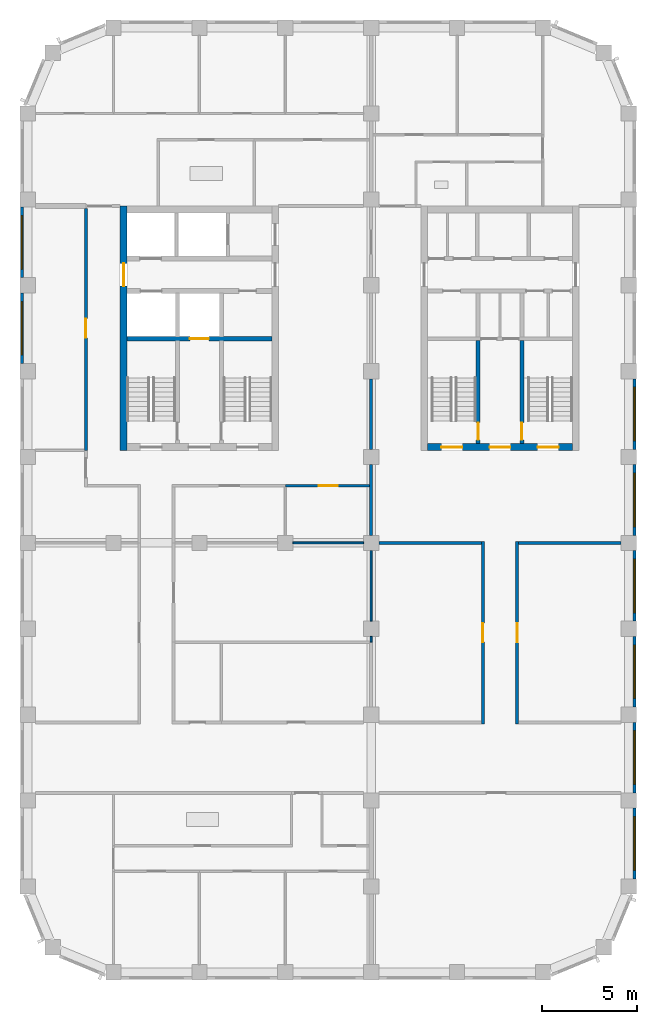
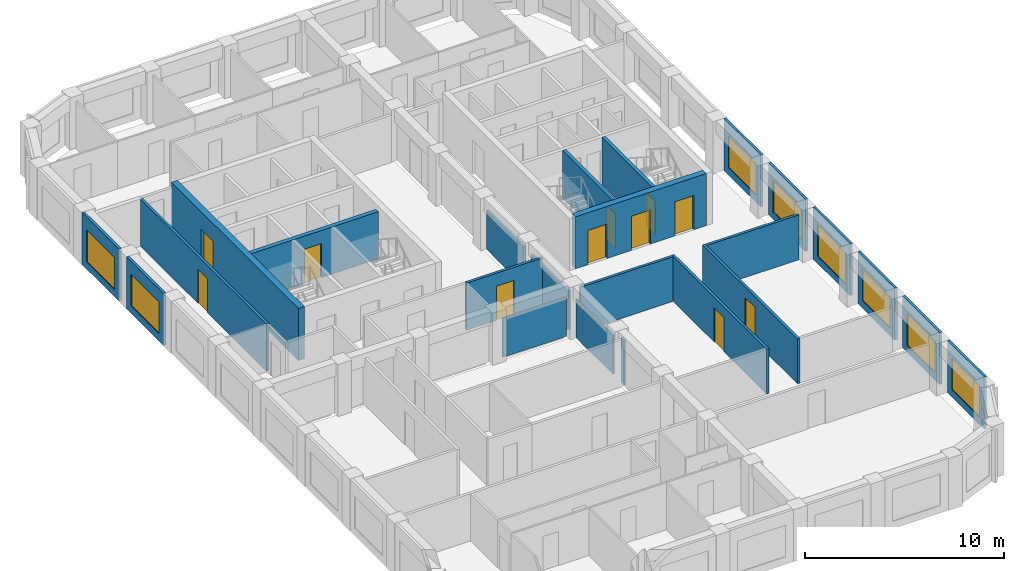
# One storey, part 4 of 9: 24 walls, 11 doors, 8 windows, 19 openings.
"""IFC4 building model written with IfcOpenShell, lengths in metres."""

from ifc_helpers import new_model, si_unit, direction, frame, frame_2d, origin, place, context, subcontext, project, spatial, rectangle, extrude, material, layer, layer_set, type_object, element, fill, save


model = new_model("IFC4")

# Units and contexts
model_context = context("Model", 3, precision=1e-05, world=origin(), true_north=direction((0.0, 1.0)))
body_context = subcontext(model_context, "Body", "Model", "MODEL_VIEW")
ifc_project = project(units=[si_unit("LENGTHUNIT", "METRE"), si_unit("AREAUNIT", "SQUARE_METRE"), si_unit("VOLUMEUNIT", "CUBIC_METRE"), si_unit("PLANEANGLEUNIT", "RADIAN"), si_unit("MASSUNIT", "GRAM", prefix="KILO")], contexts=[model_context])

# Site, building, storey
site_placement = place(None, origin())
site = spatial("IfcSite", under=ifc_project, at=site_placement, CompositionType="ELEMENT")
building_placement = place(site_placement, origin())
building = spatial("IfcBuilding", under=site, at=building_placement, Name="Girih Gate Residences", CompositionType="ELEMENT")
storey_placement = place(building_placement, frame((0.0, 0.0, 182.699951171875)))
storey = spatial("IfcBuildingStorey", under=building, at=storey_placement, Name="L50", CompositionType="ELEMENT", Elevation=182.699951171875)

# Walls
ifc_material_1 = material(Name="Gypsum board on steel studs", Category="steel")
ifc_layer_1 = layer(ifc_material_1, 0.14990234375)
ifc_layer_set_1 = layer_set([ifc_layer_1], Name="Compartment wall 150 mm")
wall_type_1 = type_object("IfcWallType", Name="Compartment wall 150 mm", PredefinedType="PARTITIONING", material=ifc_layer_set_1)
for number, where, z_axis, x_axis, name in (
    (1, (18.39990234375, 22.5, 0.0), (0.0, 0.0, 1.0), (1.0, 0.0, 0.0), "L50 partition"),
    (2, (25.72509765625, 22.5, 0.0), (0.0, 0.0, 1.0), (1.0, 0.0, 0.0), "L50 partition"),
):
    element("IfcWall", number, at=place(storey_placement, frame(where, z_axis=z_axis, x_axis=x_axis)), inside=storey, type_object=wall_type_1, Name=name, PredefinedType="PARTITIONING", context=body_context, shape_type="SweptSolid", body=[
        extrude(rectangle(XDim=5.375, YDim=0.14990234375, at=frame_2d((2.6875, 0.0))), origin(), (0.0, 0.0, 1.0), 2.75),
    ])
for number, where, z_axis, x_axis, name in (
    (3, (18.0, 27.39990234375, 0.0), (0.0, 0.0, 1.0), (0.0, 1.0, 0.0), "L50 partition"),
    (4, (18.0, 22.89990234375, 0.0), (0.0, 0.0, 1.0), (0.0, 1.0, 0.0), "L50 partition"),
):
    element("IfcWall", number, at=place(storey_placement, frame(where, z_axis=z_axis, x_axis=x_axis)), inside=storey, type_object=wall_type_1, Name=name, PredefinedType="PARTITIONING", context=body_context, shape_type="SweptSolid", body=[
        extrude(rectangle(XDim=3.7001953125, YDim=0.14990234375, at=frame_2d((1.85009765625, 0.0))), origin(), (0.0, 0.0, 1.0), 2.380126953125),
    ])

# Wall, opening, door
wall_1_placement = place(storey_placement, frame((23.85009765625, 13.02490234375, 0.0), z_axis=(0.0, 0.0, 1.0), x_axis=(0.0, 1.0, 0.0)))
wall_1 = element("IfcWall", 5, at=wall_1_placement, inside=storey, type_object=wall_type_1, Name="L50 partition", PredefinedType="PARTITIONING", context=body_context, shape_type="SweptSolid", body=[
    extrude(rectangle(XDim=9.550048828125, YDim=0.14990234375, at=frame_2d((4.77490234375, 0.0))), origin(), (0.0, 0.0, 1.0), 2.75),
])
opening_1_placement = place(wall_1_placement, frame((4.27490234375, 0.0, 0.0)))
opening_1 = element("IfcOpeningElement", 6, at=opening_1_placement, cuts=wall_1, Name="Opening A50-024", PredefinedType="OPENING", context=body_context, shape_type="SweptSolid", body=[
    extrude(rectangle(XDim=1.0, YDim=2.10009765625, at=frame_2d((0.5, 1.050048828125))), frame((0.0, 0.0849609375, 0.0), z_axis=(0.0, -1.0, 0.0), x_axis=(1.0, 0.0, 0.0)), (0.0, 0.0, 1.0), 0.169921875),
])
ifc_material_2 = material(Name="Timber, fire-rated core", Category="wood")
door_type_1 = type_object("IfcDoorType", Name="Amenity room door 1000x2100 FD30S", OperationType="NOTDEFINED", PredefinedType="DOOR", material=ifc_material_2)
door_1_placement = place(opening_1_placement, origin())
door_1 = element("IfcDoor", 7, at=door_1_placement, inside=storey, type_object=door_type_1, Name="Door A50-024", OperationType="SINGLE_SWING_RIGHT", OverallHeight=2.10009765625, OverallWidth=1.0, PredefinedType="DOOR", context=body_context, shape_type="SweptSolid", body=[
    extrude(rectangle(XDim=1.0, YDim=2.10009765625, at=frame_2d((0.5, 1.050048828125))), frame((0.0, 0.02490234375, 0.0), z_axis=(0.0, -1.0, 0.0), x_axis=(1.0, 0.0, 0.0)), (0.0, 0.0, 1.0), 0.050048828125),
])
fill(opening_1, door_1)

wall_2_placement = place(storey_placement, frame((25.64990234375, 22.574951171875, 0.0), z_axis=(0.0, 0.0, 1.0), x_axis=(0.0, -1.0, 0.0)))
wall_2 = element("IfcWall", 8, at=wall_2_placement, inside=storey, type_object=wall_type_1, Name="L50 partition", PredefinedType="PARTITIONING", context=body_context, shape_type="SweptSolid", body=[
    extrude(rectangle(XDim=9.550048828125, YDim=0.14990234375, at=frame_2d((4.77490234375, 0.0))), origin(), (0.0, 0.0, 1.0), 2.75),
])
opening_2_placement = place(wall_2_placement, frame((4.27490234375, 0.0, 0.0)))
opening_2 = element("IfcOpeningElement", 9, at=opening_2_placement, cuts=wall_2, Name="Opening A50-025", PredefinedType="OPENING", context=body_context, shape_type="SweptSolid", body=[
    extrude(rectangle(XDim=1.0, YDim=2.10009765625, at=frame_2d((0.5, 1.050048828125))), frame((0.0, 0.0849609375, 0.0), z_axis=(0.0, -1.0, 0.0), x_axis=(1.0, 0.0, 0.0)), (0.0, 0.0, 1.0), 0.169921875),
])
door_2_placement = place(opening_2_placement, origin())
door_2 = element("IfcDoor", 10, at=door_2_placement, inside=storey, type_object=door_type_1, Name="Door A50-025", OperationType="SINGLE_SWING_LEFT", OverallHeight=2.10009765625, OverallWidth=1.0, PredefinedType="DOOR", context=body_context, shape_type="SweptSolid", body=[
    extrude(rectangle(XDim=1.0, YDim=2.10009765625, at=frame_2d((0.5, 1.050048828125))), frame((0.0, 0.02490234375, 0.0), z_axis=(0.0, -1.0, 0.0), x_axis=(1.0, 0.0, 0.0)), (0.0, 0.0, 1.0), 0.050048828125),
])
fill(opening_2, door_2)

wall_3_placement = place(storey_placement, frame((17.925048828125, 25.5, 0.0), z_axis=(0.0, 0.0, 1.0), x_axis=(-1.0, 0.0, 0.0)))
wall_3 = element("IfcWall", 11, at=wall_3_placement, inside=storey, type_object=wall_type_1, Name="L50 partition", PredefinedType="PARTITIONING", context=body_context, shape_type="SweptSolid", body=[
    extrude(rectangle(XDim=4.425048828125, YDim=0.14990234375, at=frame_2d((2.21240234375, 0.0))), origin(), (0.0, 0.0, 1.0), 2.900146484375),
])
opening_3_placement = place(wall_3_placement, frame((1.675048828125, 0.0, 0.0)))
opening_3 = element("IfcOpeningElement", 12, at=opening_3_placement, cuts=wall_3, Name="Opening A50-030", PredefinedType="OPENING", context=body_context, shape_type="SweptSolid", body=[
    extrude(rectangle(XDim=1.0, YDim=2.10009765625, at=frame_2d((0.5, 1.050048828125))), frame((0.0, 0.0849609375, 0.0), z_axis=(0.0, -1.0, 0.0), x_axis=(1.0, 0.0, 0.0)), (0.0, 0.0, 1.0), 0.169921875),
])
door_3_placement = place(opening_3_placement, origin())
door_3 = element("IfcDoor", 13, at=door_3_placement, inside=storey, type_object=door_type_1, Name="Door A50-030", OperationType="SINGLE_SWING_LEFT", OverallHeight=2.10009765625, OverallWidth=1.0, PredefinedType="DOOR", context=body_context, shape_type="SweptSolid", body=[
    extrude(rectangle(XDim=1.0, YDim=2.10009765625, at=frame_2d((0.5, 1.050048828125))), frame((0.0, 0.02490234375, 0.0), z_axis=(0.0, -1.0, 0.0), x_axis=(1.0, 0.0, 0.0)), (0.0, 0.0, 1.0), 0.050048828125),
])
fill(opening_3, door_3)

wall_4_placement = place(storey_placement, frame((3.050048828125, 27.35009765625, 0.0), z_axis=(0.0, 0.0, 1.0), x_axis=(0.0, 1.0, 0.0)))
wall_4 = element("IfcWall", 14, at=wall_4_placement, inside=storey, type_object=wall_type_1, Name="L50 partition", PredefinedType="PARTITIONING", context=body_context, shape_type="SweptSolid", body=[
    extrude(rectangle(XDim=12.6748046875, YDim=0.14990234375, at=frame_2d((6.33740234375, 0.0))), origin(), (0.0, 0.0, 1.0), 2.900146484375),
])
opening_4_placement = place(wall_4_placement, frame((5.89990234375, 0.0, 0.0)))
opening_4 = element("IfcOpeningElement", 15, at=opening_4_placement, cuts=wall_4, Name="Opening A50-031", PredefinedType="OPENING", context=body_context, shape_type="SweptSolid", body=[
    extrude(rectangle(XDim=1.0, YDim=2.10009765625, at=frame_2d((0.5, 1.050048828125))), frame((0.0, 0.0849609375, 0.0), z_axis=(0.0, -1.0, 0.0), x_axis=(1.0, 0.0, 0.0)), (0.0, 0.0, 1.0), 0.169921875),
])
door_4_placement = place(opening_4_placement, origin())
door_4 = element("IfcDoor", 16, at=door_4_placement, inside=storey, type_object=door_type_1, Name="Door A50-031", OperationType="SINGLE_SWING_RIGHT", OverallHeight=2.10009765625, OverallWidth=1.0, PredefinedType="DOOR", context=body_context, shape_type="SweptSolid", body=[
    extrude(rectangle(XDim=1.0, YDim=2.10009765625, at=frame_2d((0.5, 1.050048828125))), frame((0.0, 0.02490234375, 0.0), z_axis=(0.0, -1.0, 0.0), x_axis=(1.0, 0.0, 0.0)), (0.0, 0.0, 1.0), 0.050048828125),
])
fill(opening_4, door_4)

ifc_material_3 = material(Name="Concrete C60/75", Category="concrete")
ifc_layer_2 = layer(ifc_material_3, 0.35009765625)
ifc_layer_set_2 = layer_set([ifc_layer_2], Name="Core wall RC 350 Concrete C60/75")
wall_type_2 = type_object("IfcWallType", Name="Core wall RC 350 Concrete C60/75", PredefinedType="SOLIDWALL", material=ifc_layer_set_2)
wall_5_placement = place(storey_placement, frame((5.02490234375, 27.35009765625, 0.0), z_axis=(0.0, 0.0, 1.0), x_axis=(0.0, 1.0, 0.0)))
wall_5 = element("IfcWall", 17, at=wall_5_placement, inside=storey, type_object=wall_type_2, Name="Core wall W-W L50", PredefinedType="SOLIDWALL", context=body_context, shape_type="SweptSolid", body=[
    extrude(rectangle(XDim=12.7998046875, YDim=0.35009765625, at=frame_2d((6.39990234375, 0.0))), origin(), (0.0, 0.0, 1.0), 3.199951171875),
])
opening_5_placement = place(wall_5_placement, frame((8.60009765625, 0.0, 0.0)))
opening_5 = element("IfcOpeningElement", 18, at=opening_5_placement, cuts=wall_5, Name="Opening D-L50-W-012", PredefinedType="OPENING", context=body_context, shape_type="SweptSolid", body=[
    extrude(rectangle(XDim=1.199951171875, YDim=2.10009765625, at=frame_2d((0.60009765625, 1.050048828125))), frame((0.0, 0.18505859375, 0.0), z_axis=(0.0, -1.0, 0.0), x_axis=(1.0, 0.0, 0.0)), (0.0, 0.0, 1.0), 0.3701171875),
])
ifc_material_4 = material(Name="Painted steel, fire-resisting", Category="steel")
door_type_2 = type_object("IfcDoorType", Name="Fire door 1200x2100", OperationType="SINGLE_SWING_LEFT", PredefinedType="DOOR", material=ifc_material_4)
door_5_placement = place(opening_5_placement, origin())
door_5 = element("IfcDoor", 19, at=door_5_placement, inside=storey, type_object=door_type_2, Name="L50 W core door ll-w", OperationType="SINGLE_SWING_LEFT", OverallHeight=2.10009765625, OverallWidth=1.199951171875, PredefinedType="DOOR", context=body_context, shape_type="SweptSolid", body=[
    extrude(rectangle(XDim=1.199951171875, YDim=2.10009765625, at=frame_2d((0.60009765625, 1.050048828125))), frame((0.0, 0.02490234375, 0.0), z_axis=(0.0, -1.0, 0.0), x_axis=(1.0, 0.0, 0.0)), (0.0, 0.0, 1.0), 0.050048828125),
])
fill(opening_5, door_5)

ifc_material_5 = material(Name="Concrete C40/50", Category="concrete")
ifc_layer_3 = layer(ifc_material_5, 0.25)
ifc_layer_set_3 = layer_set([ifc_layer_3], Name="Lift shaft wall 250")
wall_type_3 = type_object("IfcWallType", Name="Lift shaft wall 250", PredefinedType="SOLIDWALL", material=ifc_layer_set_3)
wall_6_placement = place(storey_placement, frame((5.199951171875, 33.199951171875, 0.0), z_axis=(0.0, 0.0, 1.0), x_axis=(1.0, 0.0, 0.0)))
wall_6 = element("IfcWall", 20, at=wall_6_placement, inside=storey, type_object=wall_type_3, Name="L50 W core wall H1", PredefinedType="SOLIDWALL", context=body_context, shape_type="SweptSolid", body=[
    extrude(rectangle(XDim=7.60009765625, YDim=0.25, at=frame_2d((3.800048828125, 0.0))), origin(), (0.0, 0.0, 1.0), 2.900146484375),
])
opening_6_placement = place(wall_6_placement, frame((3.300048828125, 0.0, 0.0)))
opening_6 = element("IfcOpeningElement", 21, at=opening_6_placement, cuts=wall_6, Name="Opening D-L50-W-006", PredefinedType="OPENING", context=body_context, shape_type="SweptSolid", body=[
    extrude(rectangle(XDim=1.0, YDim=2.10009765625, at=frame_2d((0.5, 1.050048828125))), frame((0.0, 0.135009765625, 0.0), z_axis=(0.0, -1.0, 0.0), x_axis=(1.0, 0.0, 0.0)), (0.0, 0.0, 1.0), 0.27001953125),
])
ifc_material_6 = material(Name="Stainless steel, fire-resisting", Category="steel")
door_type_3 = type_object("IfcDoorType", Name="Firefighting lift landing door 1000x2100", OperationType="SLIDING_TO_LEFT", PredefinedType="DOOR", material=ifc_material_6)
door_6_placement = place(opening_6_placement, origin())
door_6 = element("IfcDoor", 22, at=door_6_placement, inside=storey, type_object=door_type_3, Name="L50 lift FF-W landing door", OperationType="SLIDING_TO_LEFT", OverallHeight=2.10009765625, OverallWidth=1.0, PredefinedType="DOOR", context=body_context, shape_type="SweptSolid", body=[
    extrude(rectangle(XDim=1.0, YDim=2.10009765625, at=frame_2d((0.5, 1.050048828125))), frame((0.0, 0.02490234375, 0.0), z_axis=(0.0, -1.0, 0.0), x_axis=(1.0, 0.0, 0.0)), (0.0, 0.0, 1.0), 0.050048828125),
])
fill(opening_6, door_6)

# Walls
ifc_layer_4 = layer(ifc_material_1, 0.10009765625)
ifc_layer_set_4 = layer_set([ifc_layer_4], Name="Partition 100 mm")
wall_type_4 = type_object("IfcWallType", Name="Partition 100 mm", PredefinedType="PARTITIONING", material=ifc_layer_set_4)
wall_7_placement = place(storey_placement, frame((18.0, 18.39990234375, 0.0), z_axis=(0.0, 0.0, 1.0), x_axis=(0.0, 1.0, 0.0)))
element("IfcWall", 23, at=wall_7_placement, inside=storey, type_object=wall_type_4, Name="L50 partition", PredefinedType="PARTITIONING", context=body_context, shape_type="SweptSolid", body=[
    extrude(rectangle(XDim=3.7001953125, YDim=0.10009765625, at=frame_2d((1.85009765625, 0.0))), origin(), (0.0, 0.0, 1.0), 2.380126953125),
])
wall_8_placement = place(storey_placement, frame((18.0, 17.300048828125, 0.0), z_axis=(0.0, 0.0, 1.0), x_axis=(0.0, 1.0, 0.0)))
element("IfcWall", 24, at=wall_8_placement, inside=storey, type_object=wall_type_4, Name="L50 partition", PredefinedType="PARTITIONING", context=body_context, shape_type="SweptSolid", body=[
    extrude(rectangle(XDim=0.300048828125, YDim=0.10009765625, at=frame_2d((0.14990234375, 0.0))), origin(), (0.0, 0.0, 1.0), 2.75),
])
wall_9_placement = place(storey_placement, frame((13.89990234375, 22.5, 0.0), z_axis=(0.0, 0.0, 1.0), x_axis=(1.0, 0.0, 0.0)))
element("IfcWall", 25, at=wall_9_placement, inside=storey, type_object=wall_type_4, Name="L50 partition", PredefinedType="PARTITIONING", context=body_context, shape_type="SweptSolid", body=[
    extrude(rectangle(XDim=3.7001953125, YDim=0.10009765625, at=frame_2d((1.85009765625, 0.0))), origin(), (0.0, 0.0, 1.0), 2.380126953125),
])

# Wall, opening, window
ifc_material_7 = material(Name="Precast concrete C50/60", Category="concrete")
ifc_layer_5 = layer(ifc_material_7, 0.050048828125, Name="Outer leaf")
ifc_material_8 = material(Name="Rigid PIR insulation")
ifc_layer_6 = layer(ifc_material_8, 0.06005859375, Name="Insulation")
ifc_material_9 = material(Name="Precast concrete C40/50", Category="concrete")
ifc_layer_7 = layer(ifc_material_9, 0.0400390625, Name="Inner leaf")
ifc_layer_set_5 = layer_set([ifc_layer_5, ifc_layer_6, ifc_layer_7], Name="Precast concrete C50/60 external wall 150")
wall_type_5 = type_object("IfcWallType", Name="Precast concrete C50/60 external wall 150", PredefinedType="SOLIDWALL", material=ifc_layer_set_5)
wall_10_placement = place(storey_placement, frame((31.800048828125, 8.60009765625, 0.0), z_axis=(0.0, 0.0, 1.0), x_axis=(0.0, -1.0, 0.0)))
wall_10 = element("IfcWall", 26, at=wall_10_placement, inside=storey, type_object=wall_type_5, Name="External wall E0315_0045.0", PredefinedType="SOLIDWALL", context=body_context, shape_type="SweptSolid", body=[
    extrude(rectangle(XDim=3.7001953125, YDim=0.14990234375, at=frame_2d((1.85009765625, 0.0))), origin(), (0.0, 0.0, 1.0), 3.199951171875),
])
opening_7_placement = place(wall_10_placement, frame((0.449951171875, 0.0, 0.449951171875)))
opening_7 = element("IfcOpeningElement", 27, at=opening_7_placement, cuts=wall_10, Name="Opening W-1B", PredefinedType="OPENING", context=body_context, shape_type="SweptSolid", body=[
    extrude(rectangle(XDim=2.800048828125, YDim=1.949951171875, at=frame_2d((1.39990234375, 0.97509765625))), frame((0.0, 0.0849609375, 0.0), z_axis=(0.0, -1.0, 0.0), x_axis=(1.0, 0.0, 0.0)), (0.0, 0.0, 1.0), 0.169921875),
])
ifc_material_10 = material(Name="Double glazing in aluminium frame", Category="aluminium")
window_type = type_object("IfcWindowType", Name="Window W-1B 2800x1950", PartitioningType="SINGLE_PANEL", PredefinedType="WINDOW", material=ifc_material_10)
window_1_placement = place(opening_7_placement, origin())
window_1 = element("IfcWindow", 28, at=window_1_placement, inside=storey, type_object=window_type, Name="Window W-1B E0315_0045.0", OverallHeight=1.949951171875, OverallWidth=2.800048828125, PartitioningType="SINGLE_PANEL", PredefinedType="WINDOW", context=body_context, shape_type="SweptSolid", body=[
    extrude(rectangle(XDim=2.800048828125, YDim=1.949951171875, at=frame_2d((1.39990234375, 0.97509765625))), frame((0.0, 0.030029296875, 0.0), z_axis=(0.0, -1.0, 0.0), x_axis=(1.0, 0.0, 0.0)), (0.0, 0.0, 1.0), 0.06005859375),
])
fill(opening_7, window_1)

wall_11_placement = place(storey_placement, frame((31.800048828125, 13.10009765625, 0.0), z_axis=(0.0, 0.0, 1.0), x_axis=(0.0, -1.0, 0.0)))
wall_11 = element("IfcWall", 29, at=wall_11_placement, inside=storey, type_object=wall_type_5, Name="External wall E0315_0045.1", PredefinedType="SOLIDWALL", context=body_context, shape_type="SweptSolid", body=[
    extrude(rectangle(XDim=3.7001953125, YDim=0.14990234375, at=frame_2d((1.85009765625, 0.0))), origin(), (0.0, 0.0, 1.0), 3.199951171875),
])
opening_8_placement = place(wall_11_placement, frame((0.449951171875, 0.0, 0.449951171875)))
opening_8 = element("IfcOpeningElement", 30, at=opening_8_placement, cuts=wall_11, Name="Opening W-1B", PredefinedType="OPENING", context=body_context, shape_type="SweptSolid", body=[
    extrude(rectangle(XDim=2.800048828125, YDim=1.949951171875, at=frame_2d((1.39990234375, 0.97509765625))), frame((0.0, 0.0849609375, 0.0), z_axis=(0.0, -1.0, 0.0), x_axis=(1.0, 0.0, 0.0)), (0.0, 0.0, 1.0), 0.169921875),
])
window_2_placement = place(opening_8_placement, origin())
window_2 = element("IfcWindow", 31, at=window_2_placement, inside=storey, type_object=window_type, Name="Window W-1B E0315_0045.1", OverallHeight=1.949951171875, OverallWidth=2.800048828125, PartitioningType="SINGLE_PANEL", PredefinedType="WINDOW", context=body_context, shape_type="SweptSolid", body=[
    extrude(rectangle(XDim=2.800048828125, YDim=1.949951171875, at=frame_2d((1.39990234375, 0.97509765625))), frame((0.0, 0.030029296875, 0.0), z_axis=(0.0, -1.0, 0.0), x_axis=(1.0, 0.0, 0.0)), (0.0, 0.0, 1.0), 0.06005859375),
])
fill(opening_8, window_2)

wall_12_placement = place(storey_placement, frame((31.800048828125, 17.60009765625, 0.0), z_axis=(0.0, 0.0, 1.0), x_axis=(0.0, -1.0, 0.0)))
wall_12 = element("IfcWall", 32, at=wall_12_placement, inside=storey, type_object=wall_type_5, Name="External wall E0315_0045.2", PredefinedType="SOLIDWALL", context=body_context, shape_type="SweptSolid", body=[
    extrude(rectangle(XDim=3.7001953125, YDim=0.14990234375, at=frame_2d((1.85009765625, 0.0))), origin(), (0.0, 0.0, 1.0), 3.199951171875),
])
opening_9_placement = place(wall_12_placement, frame((0.449951171875, 0.0, 0.449951171875)))
opening_9 = element("IfcOpeningElement", 33, at=opening_9_placement, cuts=wall_12, Name="Opening W-1B", PredefinedType="OPENING", context=body_context, shape_type="SweptSolid", body=[
    extrude(rectangle(XDim=2.800048828125, YDim=1.949951171875, at=frame_2d((1.39990234375, 0.97509765625))), frame((0.0, 0.0849609375, 0.0), z_axis=(0.0, -1.0, 0.0), x_axis=(1.0, 0.0, 0.0)), (0.0, 0.0, 1.0), 0.169921875),
])
window_3_placement = place(opening_9_placement, origin())
window_3 = element("IfcWindow", 34, at=window_3_placement, inside=storey, type_object=window_type, Name="Window W-1B E0315_0045.2", OverallHeight=1.949951171875, OverallWidth=2.800048828125, PartitioningType="SINGLE_PANEL", PredefinedType="WINDOW", context=body_context, shape_type="SweptSolid", body=[
    extrude(rectangle(XDim=2.800048828125, YDim=1.949951171875, at=frame_2d((1.39990234375, 0.97509765625))), frame((0.0, 0.030029296875, 0.0), z_axis=(0.0, -1.0, 0.0), x_axis=(1.0, 0.0, 0.0)), (0.0, 0.0, 1.0), 0.06005859375),
])
fill(opening_9, window_3)

wall_13_placement = place(storey_placement, frame((31.800048828125, 22.10009765625, 0.0), z_axis=(0.0, 0.0, 1.0), x_axis=(0.0, -1.0, 0.0)))
wall_13 = element("IfcWall", 35, at=wall_13_placement, inside=storey, type_object=wall_type_5, Name="External wall E0315_0045.3", PredefinedType="SOLIDWALL", context=body_context, shape_type="SweptSolid", body=[
    extrude(rectangle(XDim=3.7001953125, YDim=0.14990234375, at=frame_2d((1.85009765625, 0.0))), origin(), (0.0, 0.0, 1.0), 3.199951171875),
])
opening_10_placement = place(wall_13_placement, frame((0.449951171875, 0.0, 0.449951171875)))
opening_10 = element("IfcOpeningElement", 36, at=opening_10_placement, cuts=wall_13, Name="Opening W-1B", PredefinedType="OPENING", context=body_context, shape_type="SweptSolid", body=[
    extrude(rectangle(XDim=2.800048828125, YDim=1.949951171875, at=frame_2d((1.39990234375, 0.97509765625))), frame((0.0, 0.0849609375, 0.0), z_axis=(0.0, -1.0, 0.0), x_axis=(1.0, 0.0, 0.0)), (0.0, 0.0, 1.0), 0.169921875),
])
window_4_placement = place(opening_10_placement, origin())
window_4 = element("IfcWindow", 37, at=window_4_placement, inside=storey, type_object=window_type, Name="Window W-1B E0315_0045.3", OverallHeight=1.949951171875, OverallWidth=2.800048828125, PartitioningType="SINGLE_PANEL", PredefinedType="WINDOW", context=body_context, shape_type="SweptSolid", body=[
    extrude(rectangle(XDim=2.800048828125, YDim=1.949951171875, at=frame_2d((1.39990234375, 0.97509765625))), frame((0.0, 0.030029296875, 0.0), z_axis=(0.0, -1.0, 0.0), x_axis=(1.0, 0.0, 0.0)), (0.0, 0.0, 1.0), 0.06005859375),
])
fill(opening_10, window_4)

wall_14_placement = place(storey_placement, frame((31.800048828125, 26.60009765625, 0.0), z_axis=(0.0, 0.0, 1.0), x_axis=(0.0, -1.0, 0.0)))
wall_14 = element("IfcWall", 38, at=wall_14_placement, inside=storey, type_object=wall_type_5, Name="External wall E0315_0045.4", PredefinedType="SOLIDWALL", context=body_context, shape_type="SweptSolid", body=[
    extrude(rectangle(XDim=3.7001953125, YDim=0.14990234375, at=frame_2d((1.85009765625, 0.0))), origin(), (0.0, 0.0, 1.0), 3.199951171875),
])
opening_11_placement = place(wall_14_placement, frame((0.449951171875, 0.0, 0.449951171875)))
opening_11 = element("IfcOpeningElement", 39, at=opening_11_placement, cuts=wall_14, Name="Opening W-1B", PredefinedType="OPENING", context=body_context, shape_type="SweptSolid", body=[
    extrude(rectangle(XDim=2.800048828125, YDim=1.949951171875, at=frame_2d((1.39990234375, 0.97509765625))), frame((0.0, 0.0849609375, 0.0), z_axis=(0.0, -1.0, 0.0), x_axis=(1.0, 0.0, 0.0)), (0.0, 0.0, 1.0), 0.169921875),
])
window_5_placement = place(opening_11_placement, origin())
window_5 = element("IfcWindow", 40, at=window_5_placement, inside=storey, type_object=window_type, Name="Window W-1B E0315_0045.4", OverallHeight=1.949951171875, OverallWidth=2.800048828125, PartitioningType="SINGLE_PANEL", PredefinedType="WINDOW", context=body_context, shape_type="SweptSolid", body=[
    extrude(rectangle(XDim=2.800048828125, YDim=1.949951171875, at=frame_2d((1.39990234375, 0.97509765625))), frame((0.0, 0.030029296875, 0.0), z_axis=(0.0, -1.0, 0.0), x_axis=(1.0, 0.0, 0.0)), (0.0, 0.0, 1.0), 0.06005859375),
])
fill(opening_11, window_5)

wall_15_placement = place(storey_placement, frame((31.800048828125, 31.10009765625, 0.0), z_axis=(0.0, 0.0, 1.0), x_axis=(0.0, -1.0, 0.0)))
wall_15 = element("IfcWall", 41, at=wall_15_placement, inside=storey, type_object=wall_type_5, Name="External wall E0315_0045.5", PredefinedType="SOLIDWALL", context=body_context, shape_type="SweptSolid", body=[
    extrude(rectangle(XDim=3.7001953125, YDim=0.14990234375, at=frame_2d((1.85009765625, 0.0))), origin(), (0.0, 0.0, 1.0), 3.199951171875),
])
opening_12_placement = place(wall_15_placement, frame((0.449951171875, 0.0, 0.449951171875)))
opening_12 = element("IfcOpeningElement", 42, at=opening_12_placement, cuts=wall_15, Name="Opening W-1B", PredefinedType="OPENING", context=body_context, shape_type="SweptSolid", body=[
    extrude(rectangle(XDim=2.800048828125, YDim=1.949951171875, at=frame_2d((1.39990234375, 0.97509765625))), frame((0.0, 0.0849609375, 0.0), z_axis=(0.0, -1.0, 0.0), x_axis=(1.0, 0.0, 0.0)), (0.0, 0.0, 1.0), 0.169921875),
])
window_6_placement = place(opening_12_placement, origin())
window_6 = element("IfcWindow", 43, at=window_6_placement, inside=storey, type_object=window_type, Name="Window W-1B E0315_0045.5", OverallHeight=1.949951171875, OverallWidth=2.800048828125, PartitioningType="SINGLE_PANEL", PredefinedType="WINDOW", context=body_context, shape_type="SweptSolid", body=[
    extrude(rectangle(XDim=2.800048828125, YDim=1.949951171875, at=frame_2d((1.39990234375, 0.97509765625))), frame((0.0, 0.030029296875, 0.0), z_axis=(0.0, -1.0, 0.0), x_axis=(1.0, 0.0, 0.0)), (0.0, 0.0, 1.0), 0.06005859375),
])
fill(opening_12, window_6)

wall_16_placement = place(storey_placement, frame((-0.300048828125, 36.39990234375, 0.0), z_axis=(0.0, 0.0, 1.0), x_axis=(0.0, 1.0, 0.0)))
wall_16 = element("IfcWall", 44, at=wall_16_placement, inside=storey, type_object=wall_type_5, Name="External wall W0000_0450.1", PredefinedType="SOLIDWALL", context=body_context, shape_type="SweptSolid", body=[
    extrude(rectangle(XDim=3.7001953125, YDim=0.14990234375, at=frame_2d((1.85009765625, 0.0))), origin(), (0.0, 0.0, 1.0), 3.199951171875),
])
opening_13_placement = place(wall_16_placement, frame((0.449951171875, 0.0, 0.449951171875)))
opening_13 = element("IfcOpeningElement", 45, at=opening_13_placement, cuts=wall_16, Name="Opening W-1B", PredefinedType="OPENING", context=body_context, shape_type="SweptSolid", body=[
    extrude(rectangle(XDim=2.800048828125, YDim=1.949951171875, at=frame_2d((1.39990234375, 0.97509765625))), frame((0.0, 0.0849609375, 0.0), z_axis=(0.0, -1.0, 0.0), x_axis=(1.0, 0.0, 0.0)), (0.0, 0.0, 1.0), 0.169921875),
])
window_7_placement = place(opening_13_placement, origin())
window_7 = element("IfcWindow", 46, at=window_7_placement, inside=storey, type_object=window_type, Name="Window W-1B W0000_0450.1", OverallHeight=1.949951171875, OverallWidth=2.800048828125, PartitioningType="SINGLE_PANEL", PredefinedType="WINDOW", context=body_context, shape_type="SweptSolid", body=[
    extrude(rectangle(XDim=2.800048828125, YDim=1.949951171875, at=frame_2d((1.39990234375, 0.97509765625))), frame((0.0, 0.030029296875, 0.0), z_axis=(0.0, -1.0, 0.0), x_axis=(1.0, 0.0, 0.0)), (0.0, 0.0, 1.0), 0.06005859375),
])
fill(opening_13, window_7)

wall_17_placement = place(storey_placement, frame((-0.300048828125, 31.89990234375, 0.0), z_axis=(0.0, 0.0, 1.0), x_axis=(0.0, 1.0, 0.0)))
wall_17 = element("IfcWall", 47, at=wall_17_placement, inside=storey, type_object=wall_type_5, Name="External wall W0000_0450.2", PredefinedType="SOLIDWALL", context=body_context, shape_type="SweptSolid", body=[
    extrude(rectangle(XDim=3.7001953125, YDim=0.14990234375, at=frame_2d((1.85009765625, 0.0))), origin(), (0.0, 0.0, 1.0), 3.199951171875),
])
opening_14_placement = place(wall_17_placement, frame((0.449951171875, 0.0, 0.449951171875)))
opening_14 = element("IfcOpeningElement", 48, at=opening_14_placement, cuts=wall_17, Name="Opening W-1B", PredefinedType="OPENING", context=body_context, shape_type="SweptSolid", body=[
    extrude(rectangle(XDim=2.800048828125, YDim=1.949951171875, at=frame_2d((1.39990234375, 0.97509765625))), frame((0.0, 0.0849609375, 0.0), z_axis=(0.0, -1.0, 0.0), x_axis=(1.0, 0.0, 0.0)), (0.0, 0.0, 1.0), 0.169921875),
])
window_8_placement = place(opening_14_placement, origin())
window_8 = element("IfcWindow", 49, at=window_8_placement, inside=storey, type_object=window_type, Name="Window W-1B W0000_0450.2", OverallHeight=1.949951171875, OverallWidth=2.800048828125, PartitioningType="SINGLE_PANEL", PredefinedType="WINDOW", context=body_context, shape_type="SweptSolid", body=[
    extrude(rectangle(XDim=2.800048828125, YDim=1.949951171875, at=frame_2d((1.39990234375, 0.97509765625))), frame((0.0, 0.030029296875, 0.0), z_axis=(0.0, -1.0, 0.0), x_axis=(1.0, 0.0, 0.0)), (0.0, 0.0, 1.0), 0.06005859375),
])
fill(opening_14, window_8)

# Wall, opening, door
ifc_layer_8 = layer(ifc_material_5, 0.199951171875)
ifc_layer_set_6 = layer_set([ifc_layer_8], Name="Shaft wall 200")
wall_type_6 = type_object("IfcWallType", Name="Shaft wall 200", PredefinedType="SOLIDWALL", material=ifc_layer_set_6)
wall_18_placement = place(storey_placement, frame((23.60009765625, 27.699951171875, 0.0), z_axis=(0.0, 0.0, 1.0), x_axis=(0.0, 1.0, 0.0)))
wall_18 = element("IfcWall", 50, at=wall_18_placement, inside=storey, type_object=wall_type_6, Name="L50 C core wall V1a", PredefinedType="SOLIDWALL", context=body_context, shape_type="SweptSolid", body=[
    extrude(rectangle(XDim=5.400146484375, YDim=0.199951171875, at=frame_2d((2.7001953125, 0.0))), origin(), (0.0, 0.0, 1.0), 2.900146484375),
])
opening_15_placement = place(wall_18_placement, frame((0.199951171875, 0.0, 0.0)))
opening_15 = element("IfcOpeningElement", 51, at=opening_15_placement, cuts=wall_18, Name="Opening D-L50-C-001", PredefinedType="OPENING", context=body_context, shape_type="SweptSolid", body=[
    extrude(rectangle(XDim=0.89990234375, YDim=2.10009765625, at=frame_2d((0.449951171875, 1.050048828125))), frame((0.0, 0.10986328125, 0.0), z_axis=(0.0, -1.0, 0.0), x_axis=(1.0, 0.0, 0.0)), (0.0, 0.0, 1.0), 0.219970703125),
])
door_type_4 = type_object("IfcDoorType", Name="Fire door 900x2100", OperationType="SINGLE_SWING_LEFT", PredefinedType="DOOR", material=ifc_material_4)
door_7_placement = place(opening_15_placement, origin())
door_7 = element("IfcDoor", 52, at=door_7_placement, inside=storey, type_object=door_type_4, Name="L50 C door stair 1 to stair lobby", OperationType="SINGLE_SWING_LEFT", OverallHeight=2.10009765625, OverallWidth=0.89990234375, PredefinedType="DOOR", context=body_context, shape_type="SweptSolid", body=[
    extrude(rectangle(XDim=0.89990234375, YDim=2.10009765625, at=frame_2d((0.449951171875, 1.050048828125))), frame((0.0, 0.02490234375, 0.0), z_axis=(0.0, -1.0, 0.0), x_axis=(1.0, 0.0, 0.0)), (0.0, 0.0, 1.0), 0.050048828125),
])
fill(opening_15, door_7)

wall_19_placement = place(storey_placement, frame((25.89990234375, 27.699951171875, 0.0), z_axis=(0.0, 0.0, 1.0), x_axis=(0.0, 1.0, 0.0)))
wall_19 = element("IfcWall", 53, at=wall_19_placement, inside=storey, type_object=wall_type_6, Name="L50 C core wall V2a", PredefinedType="SOLIDWALL", context=body_context, shape_type="SweptSolid", body=[
    extrude(rectangle(XDim=5.400146484375, YDim=0.199951171875, at=frame_2d((2.7001953125, 0.0))), origin(), (0.0, 0.0, 1.0), 2.900146484375),
])
opening_16_placement = place(wall_19_placement, frame((0.199951171875, 0.0, 0.0)))
opening_16 = element("IfcOpeningElement", 54, at=opening_16_placement, cuts=wall_19, Name="Opening D-L50-C-002", PredefinedType="OPENING", context=body_context, shape_type="SweptSolid", body=[
    extrude(rectangle(XDim=0.89990234375, YDim=2.10009765625, at=frame_2d((0.449951171875, 1.050048828125))), frame((0.0, 0.10986328125, 0.0), z_axis=(0.0, -1.0, 0.0), x_axis=(1.0, 0.0, 0.0)), (0.0, 0.0, 1.0), 0.219970703125),
])
door_8_placement = place(opening_16_placement, origin())
door_8 = element("IfcDoor", 55, at=door_8_placement, inside=storey, type_object=door_type_4, Name="L50 C door stair 2 to stair lobby", OperationType="SINGLE_SWING_LEFT", OverallHeight=2.10009765625, OverallWidth=0.89990234375, PredefinedType="DOOR", context=body_context, shape_type="SweptSolid", body=[
    extrude(rectangle(XDim=0.89990234375, YDim=2.10009765625, at=frame_2d((0.449951171875, 1.050048828125))), frame((0.0, 0.02490234375, 0.0), z_axis=(0.0, -1.0, 0.0), x_axis=(1.0, 0.0, 0.0)), (0.0, 0.0, 1.0), 0.050048828125),
])
fill(opening_16, door_8)

# Wall, openings, doors
ifc_layer_9 = layer(ifc_material_5, 0.35009765625)
ifc_layer_set_7 = layer_set([ifc_layer_9], Name="Stair core wall RC 350 Concrete C40/50")
wall_type_7 = type_object("IfcWallType", Name="Stair core wall RC 350 Concrete C40/50", PredefinedType="SOLIDWALL", material=ifc_layer_set_7)
wall_20_placement = place(storey_placement, frame((20.949951171875, 27.52490234375, 0.0), z_axis=(0.0, 0.0, 1.0), x_axis=(1.0, 0.0, 0.0)))
wall_20 = element("IfcWall", 56, at=wall_20_placement, inside=storey, type_object=wall_type_7, Name="Stair core wall C-S L50", PredefinedType="SOLIDWALL", context=body_context, shape_type="SweptSolid", body=[
    extrude(rectangle(XDim=7.60009765625, YDim=0.35009765625, at=frame_2d((3.800048828125, 0.0))), origin(), (0.0, 0.0, 1.0), 3.199951171875),
])
opening_17_placement = place(wall_20_placement, frame((0.72509765625, 0.0, 0.0)))
opening_17 = element("IfcOpeningElement", 57, at=opening_17_placement, cuts=wall_20, Name="Opening D-L50-C-012", PredefinedType="OPENING", context=body_context, shape_type="SweptSolid", body=[
    extrude(rectangle(XDim=1.10009765625, YDim=2.10009765625, at=frame_2d((0.550048828125, 1.050048828125))), frame((0.0, 0.18505859375, 0.0), z_axis=(0.0, -1.0, 0.0), x_axis=(1.0, 0.0, 0.0)), (0.0, 0.0, 1.0), 0.3701171875),
])
opening_18_placement = place(wall_20_placement, frame((3.25, 0.0, 0.0)))
opening_18 = element("IfcOpeningElement", 58, at=opening_18_placement, cuts=wall_20, Name="Opening D-L50-C-013", PredefinedType="OPENING", context=body_context, shape_type="SweptSolid", body=[
    extrude(rectangle(XDim=1.10009765625, YDim=2.10009765625, at=frame_2d((0.550048828125, 1.050048828125))), frame((0.0, 0.18505859375, 0.0), z_axis=(0.0, -1.0, 0.0), x_axis=(1.0, 0.0, 0.0)), (0.0, 0.0, 1.0), 0.3701171875),
])
opening_19_placement = place(wall_20_placement, frame((5.77490234375, 0.0, 0.0)))
opening_19 = element("IfcOpeningElement", 59, at=opening_19_placement, cuts=wall_20, Name="Opening D-L50-C-014", PredefinedType="OPENING", context=body_context, shape_type="SweptSolid", body=[
    extrude(rectangle(XDim=1.10009765625, YDim=2.10009765625, at=frame_2d((0.550048828125, 1.050048828125))), frame((0.0, 0.18505859375, 0.0), z_axis=(0.0, -1.0, 0.0), x_axis=(1.0, 0.0, 0.0)), (0.0, 0.0, 1.0), 0.3701171875),
])
door_type_5 = type_object("IfcDoorType", Name="Fire door 1100x2100", OperationType="SINGLE_SWING_LEFT", PredefinedType="DOOR", material=ifc_material_4)
door_9_placement = place(opening_17_placement, origin())
door_9 = element("IfcDoor", 60, at=door_9_placement, inside=storey, type_object=door_type_5, Name="L50 C core door sta-out", OperationType="SINGLE_SWING_LEFT", OverallHeight=2.10009765625, OverallWidth=1.10009765625, PredefinedType="DOOR", context=body_context, shape_type="SweptSolid", body=[
    extrude(rectangle(XDim=1.10009765625, YDim=2.10009765625, at=frame_2d((0.550048828125, 1.050048828125))), frame((0.0, 0.02490234375, 0.0), z_axis=(0.0, -1.0, 0.0), x_axis=(1.0, 0.0, 0.0)), (0.0, 0.0, 1.0), 0.050048828125),
])
fill(opening_17, door_9)
door_10_placement = place(opening_18_placement, origin())
door_10 = element("IfcDoor", 61, at=door_10_placement, inside=storey, type_object=door_type_5, Name="L50 C core door ffl-out", OperationType="SINGLE_SWING_LEFT", OverallHeight=2.10009765625, OverallWidth=1.10009765625, PredefinedType="DOOR", context=body_context, shape_type="SweptSolid", body=[
    extrude(rectangle(XDim=1.10009765625, YDim=2.10009765625, at=frame_2d((0.550048828125, 1.050048828125))), frame((0.0, 0.02490234375, 0.0), z_axis=(0.0, -1.0, 0.0), x_axis=(1.0, 0.0, 0.0)), (0.0, 0.0, 1.0), 0.050048828125),
])
fill(opening_18, door_10)
door_11_placement = place(opening_19_placement, origin())
door_11 = element("IfcDoor", 62, at=door_11_placement, inside=storey, type_object=door_type_5, Name="L50 C core door stb-out", OperationType="SINGLE_SWING_LEFT", OverallHeight=2.10009765625, OverallWidth=1.10009765625, PredefinedType="DOOR", context=body_context, shape_type="SweptSolid", body=[
    extrude(rectangle(XDim=1.10009765625, YDim=2.10009765625, at=frame_2d((0.550048828125, 1.050048828125))), frame((0.0, 0.02490234375, 0.0), z_axis=(0.0, -1.0, 0.0), x_axis=(1.0, 0.0, 0.0)), (0.0, 0.0, 1.0), 0.050048828125),
])
fill(opening_19, door_11)

save(model, "model.ifc")
